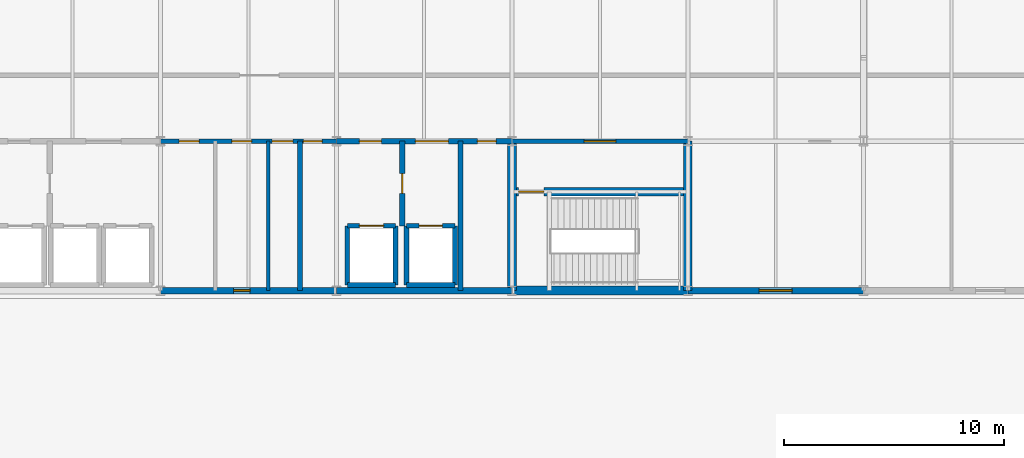
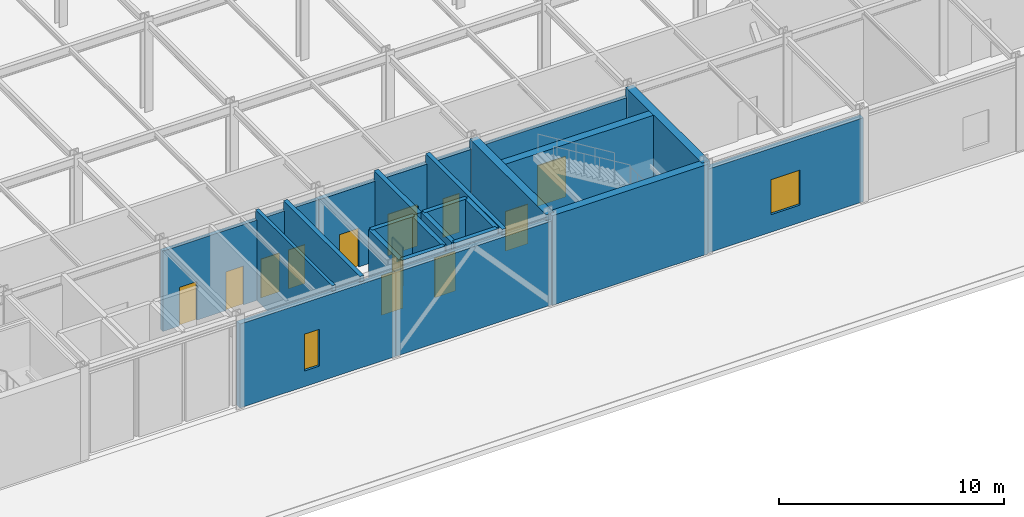
# One storey, part 97 of 113: 22 walls, 12 doors, 2 windows, 14 openings.
"""IFC4 building model written with IfcOpenShell, lengths in metres."""

from ifc_helpers import new_model, si_unit, direction, frame, frame_2d, origin, place, context, subcontext, project, spatial, rectangle, extrude, material, layer, layer_set, type_object, element, fill, save


model = new_model("IFC4")

# Units and contexts
model_context = context("Model", 3, precision=1e-05, world=origin(), true_north=direction((0.0, 1.0)))
body_context = subcontext(model_context, "Body", "Model", "MODEL_VIEW")
ifc_project = project(units=[si_unit("LENGTHUNIT", "METRE"), si_unit("AREAUNIT", "SQUARE_METRE"), si_unit("VOLUMEUNIT", "CUBIC_METRE"), si_unit("PLANEANGLEUNIT", "RADIAN"), si_unit("MASSUNIT", "GRAM", prefix="KILO")], contexts=[model_context])

# Site, building, storey
site_placement = place(None, origin())
site = spatial("IfcSite", under=ifc_project, at=site_placement, CompositionType="ELEMENT")
building_placement = place(site_placement, origin())
building = spatial("IfcBuilding", under=site, at=building_placement, Name="Shalkamar Park Central Library", CompositionType="ELEMENT")
storey_placement = place(building_placement, frame((0.0, 0.0, 5.39990234375)))
storey = spatial("IfcBuildingStorey", under=building, at=storey_placement, Name="L02", CompositionType="ELEMENT", Elevation=5.39990234375)

# Wall, opening, door
ifc_material_1 = material(Name="Reinforced fire-compartment masonry wall", Category="masonry")
ifc_layer_1 = layer(ifc_material_1, 0.239990234375)
ifc_layer_set_1 = layer_set([ifc_layer_1], Name="CompartmentWall_240")
wall_type_1 = type_object("IfcWallType", Name="Compartment Wall 240", PredefinedType="PARTITIONING", material=ifc_layer_set_1)
wall_1_placement = place(storey_placement, frame((192.0, 251.35009765625, 0.0), z_axis=(0.0, 0.0, 1.0), x_axis=(0.0, 1.0, 0.0)))
wall_1 = element("IfcWall", 1, at=wall_1_placement, inside=storey, type_object=wall_type_1, Name="Interior Partition WL-INT-L02-002", PredefinedType="PARTITIONING", context=body_context, shape_type="SweptSolid", body=[
    extrude(rectangle(XDim=3.849853515625, YDim=0.239990234375, at=frame_2d((1.9248046875, 0.0))), origin(), (0.0, 0.0, 1.0), 4.860107421875),
])
opening_1_placement = place(wall_1_placement, frame((1.47509765625, 0.0, 0.0)))
opening_1 = element("IfcOpeningElement", 2, at=opening_1_placement, cuts=wall_1, Name="Opening DR-L02-002", PredefinedType="OPENING", context=body_context, shape_type="SweptSolid", body=[
    extrude(rectangle(XDim=0.89990234375, YDim=2.10009765625, at=frame_2d((0.449951171875, 1.050048828125))), frame((0.0, 0.134765625, 0.0), z_axis=(0.0, -1.0, 0.0), x_axis=(1.0, 0.0, 0.0)), (0.0, 0.0, 1.0), 0.269775390625),
])
ifc_material_2 = material(Name="Steel S355", Category="steel")
door_type_1 = type_object("IfcDoorType", Name="Fire Door Single 900x2100", OperationType="NOTDEFINED", PredefinedType="DOOR", material=ifc_material_2)
door_1_placement = place(opening_1_placement, origin())
door_1 = element("IfcDoor", 3, at=door_1_placement, inside=storey, type_object=door_type_1, Name="Fire Lobby Interconnect Door", OperationType="SINGLE_SWING_LEFT", OverallHeight=2.10009765625, OverallWidth=0.89990234375, PredefinedType="DOOR", context=body_context, shape_type="SweptSolid", body=[
    extrude(rectangle(XDim=0.89990234375, YDim=2.10009765625, at=frame_2d((0.449951171875, 1.050048828125))), frame((0.0, 0.02490234375, 0.0), z_axis=(0.0, -1.0, 0.0), x_axis=(1.0, 0.0, 0.0)), (0.0, 0.0, 1.0), 0.050048828125),
])
fill(opening_1, door_1)

# Wall, openings, doors
wall_2_placement = place(storey_placement, frame((189.0, 255.199951171875, 0.0), z_axis=(0.0, 0.0, 1.0), x_axis=(1.0, 0.0, 0.0)))
wall_2 = element("IfcWall", 4, at=wall_2_placement, inside=storey, type_object=wall_type_1, Name="Interior Partition WL-INT-L02-009", PredefinedType="PARTITIONING", context=body_context, shape_type="SweptSolid", body=[
    extrude(rectangle(XDim=8.0, YDim=0.239990234375, at=frame_2d((4.0, 0.0))), origin(), (0.0, 0.0, 1.0), 4.358154296875),
])
opening_2_placement = place(wall_2_placement, frame((1.050048828125, 0.0, 0.0)))
opening_2 = element("IfcOpeningElement", 5, at=opening_2_placement, cuts=wall_2, Name="Opening DR-L02-009", PredefinedType="OPENING", context=body_context, shape_type="SweptSolid", body=[
    extrude(rectangle(XDim=1.0, YDim=2.10009765625, at=frame_2d((0.5, 1.050048828125))), frame((0.0, 0.134765625, 0.0), z_axis=(0.0, -1.0, 0.0), x_axis=(1.0, 0.0, 0.0)), (0.0, 0.0, 1.0), 0.269775390625),
])
opening_3_placement = place(wall_2_placement, frame((3.60009765625, 0.0, 0.0)))
opening_3 = element("IfcOpeningElement", 6, at=opening_3_placement, cuts=wall_2, Name="Opening DR-L02-010", PredefinedType="OPENING", context=body_context, shape_type="SweptSolid", body=[
    extrude(rectangle(XDim=1.5, YDim=2.25, at=frame_2d((0.75, 1.125))), frame((0.0, 0.134765625, 0.0), z_axis=(0.0, -1.0, 0.0), x_axis=(1.0, 0.0, 0.0)), (0.0, 0.0, 1.0), 0.269775390625),
])
opening_4_placement = place(wall_2_placement, frame((6.425048828125, 0.0, 0.0)))
opening_4 = element("IfcOpeningElement", 7, at=opening_4_placement, cuts=wall_2, Name="Opening DR-L02-011", PredefinedType="OPENING", context=body_context, shape_type="SweptSolid", body=[
    extrude(rectangle(XDim=0.85009765625, YDim=2.10009765625, at=frame_2d((0.425048828125, 1.050048828125))), frame((0.0, 0.134765625, 0.0), z_axis=(0.0, -1.0, 0.0), x_axis=(1.0, 0.0, 0.0)), (0.0, 0.0, 1.0), 0.269775390625),
])
door_type_2 = type_object("IfcDoorType", Name="Fire Door Riser 850x2100", OperationType="NOTDEFINED", PredefinedType="DOOR", material=ifc_material_2)
door_2_placement = place(opening_4_placement, frame((0.85009765625, 0.0, 0.0), z_axis=(0.0, 0.0, 1.0), x_axis=(-1.0, 0.0, 0.0)))
door_2 = element("IfcDoor", 8, at=door_2_placement, inside=storey, type_object=door_type_2, Name="Mechanical Riser Access Door", OperationType="SINGLE_SWING_LEFT", OverallHeight=2.10009765625, OverallWidth=0.85009765625, PredefinedType="DOOR", context=body_context, shape_type="SweptSolid", body=[
    extrude(rectangle(XDim=0.85009765625, YDim=2.10009765625, at=frame_2d((0.425048828125, 1.050048828125))), frame((0.0, 0.02490234375, 0.0), z_axis=(0.0, -1.0, 0.0), x_axis=(1.0, 0.0, 0.0)), (0.0, 0.0, 1.0), 0.050048828125),
])
fill(opening_4, door_2)
door_type_3 = type_object("IfcDoorType", Name="Fire Door Single 1000x2100", OperationType="NOTDEFINED", PredefinedType="DOOR", material=ifc_material_2)
door_3_placement = place(opening_2_placement, frame((1.0, 0.0, 0.0), z_axis=(0.0, 0.0, 1.0), x_axis=(-1.0, 0.0, 0.0)))
door_3 = element("IfcDoor", 9, at=door_3_placement, inside=storey, type_object=door_type_3, Name="East Firefighting Lobby Door", OperationType="SINGLE_SWING_RIGHT", OverallHeight=2.10009765625, OverallWidth=1.0, PredefinedType="DOOR", context=body_context, shape_type="SweptSolid", body=[
    extrude(rectangle(XDim=1.0, YDim=2.10009765625, at=frame_2d((0.5, 1.050048828125))), frame((0.0, 0.02490234375, 0.0), z_axis=(0.0, -1.0, 0.0), x_axis=(1.0, 0.0, 0.0)), (0.0, 0.0, 1.0), 0.050048828125),
])
fill(opening_2, door_3)
door_type_4 = type_object("IfcDoorType", Name="Interior Door Double 1500x2250", OperationType="DOUBLE_DOOR_SINGLE_SWING", PredefinedType="DOOR", material=ifc_material_2)
door_4_placement = place(opening_3_placement, frame((1.5, 0.0, 0.0), z_axis=(0.0, 0.0, 1.0), x_axis=(-1.0, 0.0, 0.0)))
door_4 = element("IfcDoor", 10, at=door_4_placement, inside=storey, type_object=door_type_4, Name="East Lift Lobby Entrance", OperationType="DOUBLE_DOOR_SINGLE_SWING", OverallHeight=2.25, OverallWidth=1.5, PredefinedType="DOOR", context=body_context, shape_type="SweptSolid", body=[
    extrude(rectangle(XDim=1.5, YDim=2.25, at=frame_2d((0.75, 1.125))), frame((0.0, 0.02490234375, 0.0), z_axis=(0.0, -1.0, 0.0), x_axis=(1.0, 0.0, 0.0)), (0.0, 0.0, 1.0), 0.050048828125),
])
fill(opening_3, door_4)

# Wall, opening, door
ifc_material_3 = material(Name="Fire-rated corridor partition wall", Category="masonry")
ifc_layer_2 = layer(ifc_material_3, 0.199951171875)
ifc_layer_set_2 = layer_set([ifc_layer_2], Name="CorridorFireWall_200")
wall_type_2 = type_object("IfcWallType", Name="Corridor Fire Wall 200", PredefinedType="PARTITIONING", material=ifc_layer_set_2)
wall_3_placement = place(storey_placement, frame((197.0, 255.199951171875, 0.0), z_axis=(0.0, 0.0, 1.0), x_axis=(1.0, 0.0, 0.0)))
wall_3 = element("IfcWall", 11, at=wall_3_placement, inside=storey, type_object=wall_type_2, Name="CORE-T2 Vestibule North Wall (L02)", PredefinedType="PARTITIONING", context=body_context, shape_type="SweptSolid", body=[
    extrude(rectangle(XDim=8.0, YDim=0.199951171875, at=frame_2d((4.0, 0.0))), origin(), (0.0, 0.0, 1.0), 4.358154296875),
])
opening_5_placement = place(wall_3_placement, frame((3.27490234375, 0.0, 0.0)))
opening_5 = element("IfcOpeningElement", 12, at=opening_5_placement, cuts=wall_3, Name="Opening DR-ST-T2-L02-VEST", PredefinedType="OPENING", context=body_context, shape_type="SweptSolid", body=[
    extrude(rectangle(XDim=1.449951171875, YDim=2.199951171875, at=frame_2d((0.72509765625, 1.10009765625))), frame((0.0, 0.11474609375, 0.0), z_axis=(0.0, -1.0, 0.0), x_axis=(1.0, 0.0, 0.0)), (0.0, 0.0, 1.0), 0.229736328125),
])
door_type_5 = type_object("IfcDoorType", Name="Stair Vestibule Door 1450x2200", OperationType="DOUBLE_DOOR_SINGLE_SWING", PredefinedType="DOOR", material=ifc_material_2)
door_5_placement = place(opening_5_placement, frame((1.449951171875, 0.0, 0.0), z_axis=(0.0, 0.0, 1.0), x_axis=(-1.0, 0.0, 0.0)))
door_5 = element("IfcDoor", 13, at=door_5_placement, inside=storey, type_object=door_type_5, Name="Protected Stair ST-T2 Vestibule Door (L02)", OperationType="DOUBLE_DOOR_SINGLE_SWING", OverallHeight=2.199951171875, OverallWidth=1.449951171875, PredefinedType="DOOR", context=body_context, shape_type="SweptSolid", body=[
    extrude(rectangle(XDim=1.449951171875, YDim=2.199951171875, at=frame_2d((0.72509765625, 1.10009765625))), frame((0.0, 0.02490234375, 0.0), z_axis=(0.0, -1.0, 0.0), x_axis=(1.0, 0.0, 0.0)), (0.0, 0.0, 1.0), 0.050048828125),
])
fill(opening_5, door_5)

# Wall, openings, doors
wall_4_placement = place(storey_placement, frame((181.0, 255.199951171875, 0.0), z_axis=(0.0, 0.0, 1.0), x_axis=(1.0, 0.0, 0.0)))
wall_4 = element("IfcWall", 14, at=wall_4_placement, inside=storey, type_object=wall_type_2, Name="Interior Partition WL-INT-L02-008", PredefinedType="PARTITIONING", context=body_context, shape_type="SweptSolid", body=[
    extrude(rectangle(XDim=8.0, YDim=0.199951171875, at=frame_2d((4.0, 0.0))), origin(), (0.0, 0.0, 1.0), 4.358154296875),
])
opening_6_placement = place(wall_4_placement, frame((0.85009765625, 0.0, 0.0)))
opening_6 = element("IfcOpeningElement", 15, at=opening_6_placement, cuts=wall_4, Name="Opening DR-L02-005", PredefinedType="OPENING", context=body_context, shape_type="SweptSolid", body=[
    extrude(rectangle(XDim=0.89990234375, YDim=2.10009765625, at=frame_2d((0.449951171875, 1.050048828125))), frame((0.0, 0.11474609375, 0.0), z_axis=(0.0, -1.0, 0.0), x_axis=(1.0, 0.0, 0.0)), (0.0, 0.0, 1.0), 0.229736328125),
])
opening_7_placement = place(wall_4_placement, frame((3.25, 0.0, 0.0)))
opening_7 = element("IfcOpeningElement", 16, at=opening_7_placement, cuts=wall_4, Name="Opening DR-L02-006", PredefinedType="OPENING", context=body_context, shape_type="SweptSolid", body=[
    extrude(rectangle(XDim=0.89990234375, YDim=2.10009765625, at=frame_2d((0.449951171875, 1.050048828125))), frame((0.0, 0.11474609375, 0.0), z_axis=(0.0, -1.0, 0.0), x_axis=(1.0, 0.0, 0.0)), (0.0, 0.0, 1.0), 0.229736328125),
])
opening_8_placement = place(wall_4_placement, frame((5.074951171875, 0.0, 0.0)))
opening_8 = element("IfcOpeningElement", 17, at=opening_8_placement, cuts=wall_4, Name="Opening DR-L02-007", PredefinedType="OPENING", context=body_context, shape_type="SweptSolid", body=[
    extrude(rectangle(XDim=0.949951171875, YDim=2.10009765625, at=frame_2d((0.47509765625, 1.050048828125))), frame((0.0, 0.11474609375, 0.0), z_axis=(0.0, -1.0, 0.0), x_axis=(1.0, 0.0, 0.0)), (0.0, 0.0, 1.0), 0.229736328125),
])
opening_9_placement = place(wall_4_placement, frame((6.5, 0.0, 0.0)))
opening_9 = element("IfcOpeningElement", 18, at=opening_9_placement, cuts=wall_4, Name="Opening DR-L02-008", PredefinedType="OPENING", context=body_context, shape_type="SweptSolid", body=[
    extrude(rectangle(XDim=0.85009765625, YDim=2.10009765625, at=frame_2d((0.425048828125, 1.050048828125))), frame((0.0, 0.11474609375, 0.0), z_axis=(0.0, -1.0, 0.0), x_axis=(1.0, 0.0, 0.0)), (0.0, 0.0, 1.0), 0.229736328125),
])
door_6_placement = place(opening_9_placement, frame((0.85009765625, 0.0, 0.0), z_axis=(0.0, 0.0, 1.0), x_axis=(-1.0, 0.0, 0.0)))
door_6 = element("IfcDoor", 19, at=door_6_placement, inside=storey, type_object=door_type_2, Name="Electrical Riser Access Door", OperationType="SINGLE_SWING_LEFT", OverallHeight=2.10009765625, OverallWidth=0.85009765625, PredefinedType="DOOR", context=body_context, shape_type="SweptSolid", body=[
    extrude(rectangle(XDim=0.85009765625, YDim=2.10009765625, at=frame_2d((0.425048828125, 1.050048828125))), frame((0.0, 0.02490234375, 0.0), z_axis=(0.0, -1.0, 0.0), x_axis=(1.0, 0.0, 0.0)), (0.0, 0.0, 1.0), 0.050048828125),
])
fill(opening_9, door_6)
door_type_6 = type_object("IfcDoorType", Name="Interior Door Single 900x2100", OperationType="NOTDEFINED", PredefinedType="DOOR", material=ifc_material_2)
door_7_placement = place(opening_6_placement, frame((0.89990234375, 0.0, 0.0), z_axis=(0.0, 0.0, 1.0), x_axis=(-1.0, 0.0, 0.0)))
door_7 = element("IfcDoor", 20, at=door_7_placement, inside=storey, type_object=door_type_6, Name="Male WC Door", OperationType="SINGLE_SWING_RIGHT", OverallHeight=2.10009765625, OverallWidth=0.89990234375, PredefinedType="DOOR", context=body_context, shape_type="SweptSolid", body=[
    extrude(rectangle(XDim=0.89990234375, YDim=2.10009765625, at=frame_2d((0.449951171875, 1.050048828125))), frame((0.0, 0.02490234375, 0.0), z_axis=(0.0, -1.0, 0.0), x_axis=(1.0, 0.0, 0.0)), (0.0, 0.0, 1.0), 0.050048828125),
])
fill(opening_6, door_7)
door_8_placement = place(opening_7_placement, frame((0.89990234375, 0.0, 0.0), z_axis=(0.0, 0.0, 1.0), x_axis=(-1.0, 0.0, 0.0)))
door_8 = element("IfcDoor", 21, at=door_8_placement, inside=storey, type_object=door_type_6, Name="Female WC Door", OperationType="SINGLE_SWING_RIGHT", OverallHeight=2.10009765625, OverallWidth=0.89990234375, PredefinedType="DOOR", context=body_context, shape_type="SweptSolid", body=[
    extrude(rectangle(XDim=0.89990234375, YDim=2.10009765625, at=frame_2d((0.449951171875, 1.050048828125))), frame((0.0, 0.02490234375, 0.0), z_axis=(0.0, -1.0, 0.0), x_axis=(1.0, 0.0, 0.0)), (0.0, 0.0, 1.0), 0.050048828125),
])
fill(opening_7, door_8)
door_type_7 = type_object("IfcDoorType", Name="Interior Door Single 950x2100", OperationType="NOTDEFINED", PredefinedType="DOOR", material=ifc_material_2)
door_9_placement = place(opening_8_placement, frame((0.949951171875, 0.0, 0.0), z_axis=(0.0, 0.0, 1.0), x_axis=(-1.0, 0.0, 0.0)))
door_9 = element("IfcDoor", 22, at=door_9_placement, inside=storey, type_object=door_type_7, Name="Universal Accessible WC Door", OperationType="SINGLE_SWING_LEFT", OverallHeight=2.10009765625, OverallWidth=0.949951171875, PredefinedType="DOOR", context=body_context, shape_type="SweptSolid", body=[
    extrude(rectangle(XDim=0.949951171875, YDim=2.10009765625, at=frame_2d((0.47509765625, 1.050048828125))), frame((0.0, 0.02490234375, 0.0), z_axis=(0.0, -1.0, 0.0), x_axis=(1.0, 0.0, 0.0)), (0.0, 0.0, 1.0), 0.050048828125),
])
fill(opening_8, door_9)

# Walls
ifc_material_4 = material(Name="Concrete C40/50", Category="concrete")
ifc_layer_3 = layer(ifc_material_4, 0.219970703125)
ifc_layer_set_3 = layer_set([ifc_layer_3], Name="Concrete C40/50")
wall_type_3 = type_object("IfcWallType", Name="Lift Hoistway Shear Wall 220", PredefinedType="SHEAR", material=ifc_layer_set_3)
wall_5_placement = place(storey_placement, frame((189.5, 248.64990234375, 0.0), z_axis=(0.0, 0.0, 1.0), x_axis=(1.0, 0.0, 0.0)))
element("IfcWall", 23, at=wall_5_placement, inside=storey, type_object=wall_type_3, Name="Lift FFL-02 Hoistway South Wall (L02)", PredefinedType="SHEAR", context=body_context, shape_type="SweptSolid", body=[
    extrude(rectangle(XDim=2.199951171875, YDim=0.219970703125, at=frame_2d((1.10009765625, 0.0))), origin(), (0.0, 0.0, 1.0), 4.860107421875),
])
for number, where, z_axis, x_axis, name in (
    (24, (189.5, 248.64990234375, 0.0), (0.0, 0.0, 1.0), (0.0, 1.0, 0.0), "Lift FFL-02 Hoistway West Wall (L02)"),
    (25, (191.699951171875, 248.64990234375, 0.0), (0.0, 0.0, 1.0), (0.0, 1.0, 0.0), "Lift FFL-02 Hoistway East Wall (L02)"),
):
    element("IfcWall", number, at=place(storey_placement, frame(where, z_axis=z_axis, x_axis=x_axis)), inside=storey, type_object=wall_type_3, Name=name, PredefinedType="SHEAR", context=body_context, shape_type="SweptSolid", body=[
        extrude(rectangle(XDim=2.7001953125, YDim=0.219970703125, at=frame_2d((1.35009765625, 0.0))), origin(), (0.0, 0.0, 1.0), 4.860107421875),
    ])

# Wall, opening, door
wall_6_placement = place(storey_placement, frame((189.5, 251.35009765625, 0.0), z_axis=(0.0, 0.0, 1.0), x_axis=(1.0, 0.0, 0.0)))
wall_6 = element("IfcWall", 26, at=wall_6_placement, inside=storey, type_object=wall_type_3, Name="Lift FFL-02 Hoistway Front Wall (L02)", PredefinedType="SHEAR", context=body_context, shape_type="SweptSolid", body=[
    extrude(rectangle(XDim=2.199951171875, YDim=0.219970703125, at=frame_2d((1.10009765625, 0.0))), origin(), (0.0, 0.0, 1.0), 4.860107421875),
])
opening_10_placement = place(wall_6_placement, frame((0.550048828125, 0.0, 0.0)))
opening_10 = element("IfcOpeningElement", 27, at=opening_10_placement, cuts=wall_6, Name="Opening LD-FFL-02-L02", PredefinedType="OPENING", context=body_context, shape_type="SweptSolid", body=[
    extrude(rectangle(XDim=1.10009765625, YDim=2.14990234375, at=frame_2d((0.550048828125, 1.074951171875))), frame((0.0, 0.125, 0.0), z_axis=(0.0, -1.0, 0.0), x_axis=(1.0, 0.0, 0.0)), (0.0, 0.0, 1.0), 0.249755859375),
])
door_type_8 = type_object("IfcDoorType", Name="Fire Lift Landing Door 1100x2150", OperationType="DOUBLE_DOOR_SLIDING", PredefinedType="USERDEFINED", material=ifc_material_2)
door_10_placement = place(opening_10_placement, origin())
door_10 = element("IfcDoor", 28, at=door_10_placement, inside=storey, type_object=door_type_8, Name="Lift FFL-02 Sliding Landing Door (L02)", ObjectType="SLIDING LANDING DOOR", OperationType="DOUBLE_DOOR_SLIDING", OverallHeight=2.14990234375, OverallWidth=1.10009765625, PredefinedType="USERDEFINED", context=body_context, shape_type="SweptSolid", body=[
    extrude(rectangle(XDim=1.10009765625, YDim=2.14990234375, at=frame_2d((0.550048828125, 1.074951171875))), frame((0.0, 0.02490234375, 0.0), z_axis=(0.0, -1.0, 0.0), x_axis=(1.0, 0.0, 0.0)), (0.0, 0.0, 1.0), 0.050048828125),
])
fill(opening_10, door_10)

# Walls
wall_7_placement = place(storey_placement, frame((192.199951171875, 248.64990234375, 0.0), z_axis=(0.0, 0.0, 1.0), x_axis=(1.0, 0.0, 0.0)))
element("IfcWall", 29, at=wall_7_placement, inside=storey, type_object=wall_type_3, Name="Lift LT-03 Hoistway South Wall (L02)", PredefinedType="SHEAR", context=body_context, shape_type="SweptSolid", body=[
    extrude(rectangle(XDim=2.199951171875, YDim=0.219970703125, at=frame_2d((1.10009765625, 0.0))), origin(), (0.0, 0.0, 1.0), 4.860107421875),
])
for number, where, z_axis, x_axis, name in (
    (30, (192.199951171875, 248.64990234375, 0.0), (0.0, 0.0, 1.0), (0.0, 1.0, 0.0), "Lift LT-03 Hoistway West Wall (L02)"),
    (31, (194.39990234375, 248.64990234375, 0.0), (0.0, 0.0, 1.0), (0.0, 1.0, 0.0), "Lift LT-03 Hoistway East Wall (L02)"),
):
    element("IfcWall", number, at=place(storey_placement, frame(where, z_axis=z_axis, x_axis=x_axis)), inside=storey, type_object=wall_type_3, Name=name, PredefinedType="SHEAR", context=body_context, shape_type="SweptSolid", body=[
        extrude(rectangle(XDim=2.7001953125, YDim=0.219970703125, at=frame_2d((1.35009765625, 0.0))), origin(), (0.0, 0.0, 1.0), 4.860107421875),
    ])

# Wall, opening, door
wall_8_placement = place(storey_placement, frame((192.199951171875, 251.35009765625, 0.0), z_axis=(0.0, 0.0, 1.0), x_axis=(1.0, 0.0, 0.0)))
wall_8 = element("IfcWall", 32, at=wall_8_placement, inside=storey, type_object=wall_type_3, Name="Lift LT-03 Hoistway Front Wall (L02)", PredefinedType="SHEAR", context=body_context, shape_type="SweptSolid", body=[
    extrude(rectangle(XDim=2.199951171875, YDim=0.219970703125, at=frame_2d((1.10009765625, 0.0))), origin(), (0.0, 0.0, 1.0), 4.860107421875),
])
opening_11_placement = place(wall_8_placement, frame((0.574951171875, 0.0, 0.0)))
opening_11 = element("IfcOpeningElement", 33, at=opening_11_placement, cuts=wall_8, Name="Opening LD-LT-03-L02", PredefinedType="OPENING", context=body_context, shape_type="SweptSolid", body=[
    extrude(rectangle(XDim=1.050048828125, YDim=2.14990234375, at=frame_2d((0.52490234375, 1.074951171875))), frame((0.0, 0.125, 0.0), z_axis=(0.0, -1.0, 0.0), x_axis=(1.0, 0.0, 0.0)), (0.0, 0.0, 1.0), 0.249755859375),
])
door_type_9 = type_object("IfcDoorType", Name="Passenger Lift Landing Door 1050x2150", OperationType="DOUBLE_DOOR_SLIDING", PredefinedType="USERDEFINED", material=ifc_material_2)
door_11_placement = place(opening_11_placement, origin())
door_11 = element("IfcDoor", 34, at=door_11_placement, inside=storey, type_object=door_type_9, Name="Lift LT-03 Sliding Landing Door (L02)", ObjectType="SLIDING LANDING DOOR", OperationType="DOUBLE_DOOR_SLIDING", OverallHeight=2.14990234375, OverallWidth=1.050048828125, PredefinedType="USERDEFINED", context=body_context, shape_type="SweptSolid", body=[
    extrude(rectangle(XDim=1.050048828125, YDim=2.14990234375, at=frame_2d((0.52490234375, 1.074951171875))), frame((0.0, 0.02490234375, 0.0), z_axis=(0.0, -1.0, 0.0), x_axis=(1.0, 0.0, 0.0)), (0.0, 0.0, 1.0), 0.050048828125),
])
fill(opening_11, door_11)

# Walls
ifc_material_5 = material(Name="Moisture-resistant sanitary partition", Category="masonry")
ifc_layer_4 = layer(ifc_material_5, 0.159912109375)
ifc_layer_set_4 = layer_set([ifc_layer_4], Name="PlumbingChaseWall_160")
wall_type_4 = type_object("IfcWallType", Name="Plumbing Chase Wall 160", PredefinedType="PARTITIONING", material=ifc_layer_set_4)
wall_9_placement = place(storey_placement, frame((185.89990234375, 248.39990234375, 0.0), z_axis=(0.0, 0.0, 1.0), x_axis=(0.0, 1.0, 0.0)))
element("IfcWall", 35, at=wall_9_placement, inside=storey, type_object=wall_type_4, Name="Interior Partition WL-INT-L02-005", PredefinedType="PARTITIONING", context=body_context, shape_type="SweptSolid", body=[
    extrude(rectangle(XDim=6.800048828125, YDim=0.159912109375, at=frame_2d((3.39990234375, 0.0))), origin(), (0.0, 0.0, 1.0), 4.860107421875),
])
ifc_material_6 = material(Name="Fire-rated shaft enclosure wall", Category="masonry")
ifc_layer_5 = layer(ifc_material_6, 0.219970703125)
ifc_layer_set_5 = layer_set([ifc_layer_5], Name="ShaftWall_220")
wall_type_5 = type_object("IfcWallType", Name="Shaft Wall 220", PredefinedType="PARTITIONING", material=ifc_layer_set_5)
for number, where, z_axis, x_axis, name in (
    (36, (194.64990234375, 248.39990234375, 0.0), (0.0, 0.0, 1.0), (0.0, 1.0, 0.0), "Interior Partition WL-INT-L02-003"),
    (37, (187.35009765625, 248.39990234375, 0.0), (0.0, 0.0, 1.0), (0.0, 1.0, 0.0), "Interior Partition WL-INT-L02-006"),
):
    element("IfcWall", number, at=place(storey_placement, frame(where, z_axis=z_axis, x_axis=x_axis)), inside=storey, type_object=wall_type_5, Name=name, PredefinedType="PARTITIONING", context=body_context, shape_type="SweptSolid", body=[
        extrude(rectangle(XDim=6.800048828125, YDim=0.219970703125, at=frame_2d((3.39990234375, 0.0))), origin(), (0.0, 0.0, 1.0), 4.860107421875),
    ])
ifc_layer_6 = layer(ifc_material_4, 0.39990234375)
ifc_layer_set_6 = layer_set([ifc_layer_6], Name="Concrete C40/50")
wall_type_6 = type_object("IfcWallType", Name="Tower Core Shear Wall 400", PredefinedType="SHEAR", material=ifc_layer_set_6)
wall_10_placement = place(storey_placement, frame((197.0, 248.39990234375, 0.0), z_axis=(0.0, 0.0, 1.0), x_axis=(1.0, 0.0, 0.0)))
element("IfcWall", 38, at=wall_10_placement, inside=storey, type_object=wall_type_6, Name="CORE-T2 South Shear Wall (L02)", PredefinedType="SHEAR", context=body_context, shape_type="SweptSolid", body=[
    extrude(rectangle(XDim=8.0, YDim=0.39990234375, at=frame_2d((4.0, 0.0))), origin(), (0.0, 0.0, 1.0), 4.860107421875),
])
for number, where, z_axis, x_axis, name in (
    (39, (197.0, 248.39990234375, 0.0), (0.0, 0.0, 1.0), (0.0, 1.0, 0.0), "CORE-T2 West Shear Wall (L02)"),
    (40, (205.0, 248.39990234375, 0.0), (0.0, 0.0, 1.0), (0.0, 1.0, 0.0), "CORE-T2 East Shear Wall (L02)"),
):
    element("IfcWall", number, at=place(storey_placement, frame(where, z_axis=z_axis, x_axis=x_axis)), inside=storey, type_object=wall_type_6, Name=name, PredefinedType="SHEAR", context=body_context, shape_type="SweptSolid", body=[
        extrude(rectangle(XDim=6.800048828125, YDim=0.39990234375, at=frame_2d((3.39990234375, 0.0))), origin(), (0.0, 0.0, 1.0), 4.860107421875),
    ])

# Wall, opening, door
wall_11_placement = place(storey_placement, frame((197.0, 252.89990234375, 0.0), z_axis=(0.0, 0.0, 1.0), x_axis=(1.0, 0.0, 0.0)))
wall_11 = element("IfcWall", 41, at=wall_11_placement, inside=storey, type_object=wall_type_6, Name="CORE-T2 Stairwell Wall (L02)", PredefinedType="SHEAR", context=body_context, shape_type="SweptSolid", body=[
    extrude(rectangle(XDim=8.0, YDim=0.39990234375, at=frame_2d((4.0, 0.0))), origin(), (0.0, 0.0, 1.0), 4.860107421875),
])
opening_12_placement = place(wall_11_placement, frame((0.300048828125, 0.0, 0.0)))
opening_12 = element("IfcOpeningElement", 42, at=opening_12_placement, cuts=wall_11, Name="Opening DR-ST-T2-L02-IN", PredefinedType="OPENING", context=body_context, shape_type="SweptSolid", body=[
    extrude(rectangle(XDim=1.14990234375, YDim=2.14990234375, at=frame_2d((0.574951171875, 1.074951171875))), frame((0.0, 0.21484375, 0.0), z_axis=(0.0, -1.0, 0.0), x_axis=(1.0, 0.0, 0.0)), (0.0, 0.0, 1.0), 0.4296875),
])
door_type_10 = type_object("IfcDoorType", Name="Stair Core Exit Door 1150x2150", OperationType="NOTDEFINED", PredefinedType="DOOR", material=ifc_material_2)
door_12_placement = place(opening_12_placement, frame((1.14990234375, 0.0, 0.0), z_axis=(0.0, 0.0, 1.0), x_axis=(-1.0, 0.0, 0.0)))
door_12 = element("IfcDoor", 43, at=door_12_placement, inside=storey, type_object=door_type_10, Name="Protected Stair ST-T2 Exit Door (L02)", OperationType="SINGLE_SWING_RIGHT", OverallHeight=2.14990234375, OverallWidth=1.14990234375, PredefinedType="DOOR", context=body_context, shape_type="SweptSolid", body=[
    extrude(rectangle(XDim=1.14990234375, YDim=2.14990234375, at=frame_2d((0.574951171875, 1.074951171875))), frame((0.0, 0.02490234375, 0.0), z_axis=(0.0, -1.0, 0.0), x_axis=(1.0, 0.0, 0.0)), (0.0, 0.0, 1.0), 0.050048828125),
])
fill(opening_12, door_12)

# Wall, opening, window
ifc_material_7 = material(Name="Travertine insulated rainscreen", Category="masonry")
ifc_layer_7 = layer(ifc_material_7, 0.2900390625)
ifc_layer_set_7 = layer_set([ifc_layer_7], Name="TravertineTerracottaWall_290")
wall_type_7 = type_object("IfcWallType", Name="Travertine Terracotta Wall 290", PredefinedType="SOLIDWALL", material=ifc_layer_set_7)
wall_12_placement = place(storey_placement, frame((181.006103515625, 248.39990234375, 0.0), z_axis=(0.0, 0.0, 1.0), x_axis=(1.0, 0.0, 0.0)))
wall_12 = element("IfcWall", 44, at=wall_12_placement, inside=storey, type_object=wall_type_7, Name="Exterior Facade Wall WL-EXT-L02-058", PredefinedType="SOLIDWALL", context=body_context, shape_type="SweptSolid", body=[
    extrude(rectangle(XDim=7.98779296875, YDim=0.2900390625, at=frame_2d((3.993896484375, 0.0))), origin(), (0.0, 0.0, 1.0), 4.548095703125),
])
opening_13_placement = place(wall_12_placement, frame((3.319091796875, 0.0, 0.85009765625)))
opening_13 = element("IfcOpeningElement", 45, at=opening_13_placement, cuts=wall_12, Name="Opening WN-18", PredefinedType="OPENING", context=body_context, shape_type="SweptSolid", body=[
    extrude(rectangle(XDim=0.75, YDim=2.0, at=frame_2d((0.375, 1.0))), frame((0.0, 0.159912109375, 0.0), z_axis=(0.0, -1.0, 0.0), x_axis=(1.0, 0.0, 0.0)), (0.0, 0.0, 1.0), 0.31982421875),
])
ifc_material_8 = material(Name="Thermally broken aluminium and triple low-e glass", Category="glass")
window_type_1 = type_object("IfcWindowType", Name="Archive Slit Window 750x2000", PartitioningType="SINGLE_PANEL", PredefinedType="WINDOW", material=ifc_material_8)
window_1_placement = place(opening_13_placement, origin())
window_1 = element("IfcWindow", 46, at=window_1_placement, inside=storey, type_object=window_type_1, Name="Facade Window WN-L02-027", OverallHeight=2.0, OverallWidth=0.75, PartitioningType="SINGLE_PANEL", PredefinedType="WINDOW", context=body_context, shape_type="SweptSolid", body=[
    extrude(rectangle(XDim=0.75, YDim=2.0, at=frame_2d((0.375, 1.0))), frame((0.0, 0.030029296875, 0.0), z_axis=(0.0, -1.0, 0.0), x_axis=(1.0, 0.0, 0.0)), (0.0, 0.0, 1.0), 0.06005859375),
])
fill(opening_13, window_1)

# Wall
wall_13_placement = place(storey_placement, frame((189.006103515625, 248.39990234375, 0.0), z_axis=(0.0, 0.0, 1.0), x_axis=(1.0, 0.0, 0.0)))
element("IfcWall", 47, at=wall_13_placement, inside=storey, type_object=wall_type_7, Name="Exterior Facade Wall WL-EXT-L02-059", PredefinedType="SOLIDWALL", context=body_context, shape_type="SweptSolid", body=[
    extrude(rectangle(XDim=7.98779296875, YDim=0.2900390625, at=frame_2d((3.993896484375, 0.0))), origin(), (0.0, 0.0, 1.0), 4.548095703125),
])

# Wall, opening, window
wall_14_placement = place(storey_placement, frame((205.006103515625, 248.39990234375, 0.0), z_axis=(0.0, 0.0, 1.0), x_axis=(1.0, 0.0, 0.0)))
wall_14 = element("IfcWall", 48, at=wall_14_placement, inside=storey, type_object=wall_type_7, Name="Exterior Facade Wall WL-EXT-L02-060", PredefinedType="SOLIDWALL", context=body_context, shape_type="SweptSolid", body=[
    extrude(rectangle(XDim=7.98779296875, YDim=0.2900390625, at=frame_2d((3.993896484375, 0.0))), origin(), (0.0, 0.0, 1.0), 4.548095703125),
])
opening_14_placement = place(wall_14_placement, frame((3.243896484375, 0.0, 0.949951171875)))
opening_14 = element("IfcOpeningElement", 49, at=opening_14_placement, cuts=wall_14, Name="Opening WN-14", PredefinedType="OPENING", context=body_context, shape_type="SweptSolid", body=[
    extrude(rectangle(XDim=1.5, YDim=1.89990234375, at=frame_2d((0.75, 0.949951171875))), frame((0.0, 0.159912109375, 0.0), z_axis=(0.0, -1.0, 0.0), x_axis=(1.0, 0.0, 0.0)), (0.0, 0.0, 1.0), 0.31982421875),
])
window_type_2 = type_object("IfcWindowType", Name="Tower Window 1500x1900", PartitioningType="SINGLE_PANEL", PredefinedType="WINDOW", material=ifc_material_8)
window_2_placement = place(opening_14_placement, origin())
window_2 = element("IfcWindow", 50, at=window_2_placement, inside=storey, type_object=window_type_2, Name="Facade Window WN-L02-028", OverallHeight=1.89990234375, OverallWidth=1.5, PartitioningType="SINGLE_PANEL", PredefinedType="WINDOW", context=body_context, shape_type="SweptSolid", body=[
    extrude(rectangle(XDim=1.5, YDim=1.89990234375, at=frame_2d((0.75, 0.949951171875))), frame((0.0, 0.030029296875, 0.0), z_axis=(0.0, -1.0, 0.0), x_axis=(1.0, 0.0, 0.0)), (0.0, 0.0, 1.0), 0.06005859375),
])
fill(opening_14, window_2)

save(model, "model.ifc")
